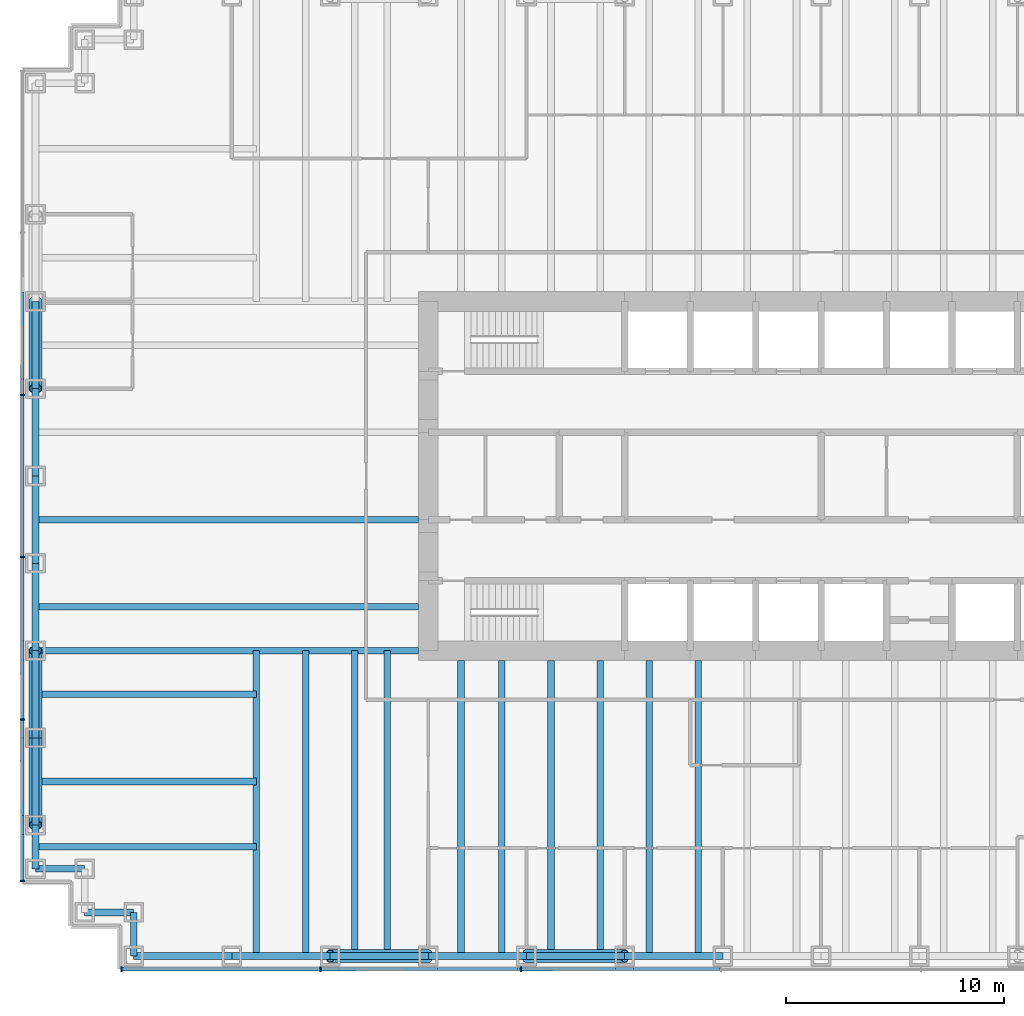
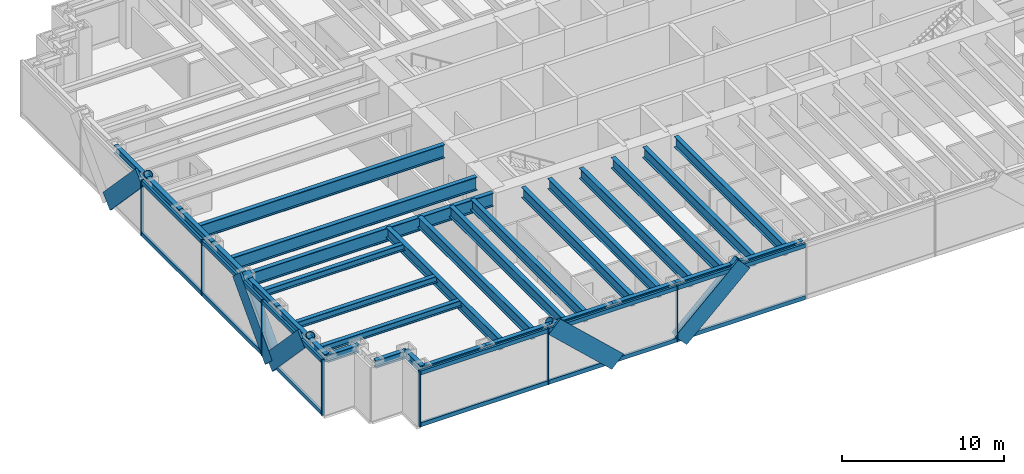
# One storey, part 2 of 15: 32 beams, 29 members, 2 elements without a shape of their own.
"""IFC4 building model written with IfcOpenShell, lengths in metres."""

from ifc_helpers import new_model, si_unit, direction, frame, origin, origin_2d, place, context, subcontext, project, spatial, rectangle, hollow_circle, i_section, extrude, material, material_profile, profile_set, type_object, element, aggregate, save


model = new_model("IFC4")

# Units and contexts
model_context = context("Model", 3, precision=1e-05, world=origin(), true_north=direction((0.0, 1.0)))
body_context = subcontext(model_context, "Body", "Model", "MODEL_VIEW")
ifc_project = project(units=[si_unit("LENGTHUNIT", "METRE"), si_unit("AREAUNIT", "SQUARE_METRE"), si_unit("VOLUMEUNIT", "CUBIC_METRE"), si_unit("PLANEANGLEUNIT", "RADIAN"), si_unit("MASSUNIT", "GRAM", prefix="KILO")], contexts=[model_context])

# Site, building, storey
site_placement = place(None, origin())
site = spatial("IfcSite", under=ifc_project, at=site_placement, CompositionType="ELEMENT")
building_placement = place(site_placement, origin())
building = spatial("IfcBuilding", under=site, at=building_placement, Name="Rheinbord Bourse Tower", CompositionType="ELEMENT")
storey_placement = place(building_placement, frame((0.0, 0.0, 113.10009765625)))
storey = spatial("IfcBuildingStorey", under=building, at=storey_placement, Name="L24", CompositionType="ELEMENT", Elevation=113.10009765625)

# Curtain wall, members
ifc_material_1 = material(Name="Dark glass and black aluminium", Category="aluminium")
curtain_wall_type = type_object("IfcCurtainWallType", Name="CW2 DARK GLASS CURTAIN WALL", PredefinedType="USERDEFINED", material=ifc_material_1)
curtain_wall_1_placement = place(storey_placement, origin())
curtain_wall_1 = element("IfcCurtainWall", 1, at=curtain_wall_1_placement, inside=storey, type_object=curtain_wall_type, Name="Curtain wall CW2 S L24", ObjectType="UNITISED CURTAIN WALL", PredefinedType="USERDEFINED")
ifc_material_2 = material(Name="Black anodised aluminium", Category="aluminium")
ifc_material_profile_1 = material_profile(ifc_material_2, rectangle(XDim=0.159912109375, YDim=1.2099609375, at=origin_2d()), Name="CW2 DIAGONAL MULLION 1210x160")
ifc_profile_set_1 = profile_set([ifc_material_profile_1], Name="Black anodised aluminium")
member_type_1 = type_object("IfcMemberType", Name="CW2 BLACK DIAGONAL MULLION", PredefinedType="USERDEFINED", material=ifc_profile_set_1)
member_1_placement = place(storey_placement, frame((18.0, 1.39990234375, 0.0), z_axis=(-0.73105922506, 0.0, 0.682314010889), x_axis=(0.0, -1.0, 0.0)))
member_1 = element("IfcMember", 2, at=member_1_placement, type_object=member_type_1, Name="CW2 diagonal mullion a", ObjectType="DIAGONAL MULLION", PredefinedType="USERDEFINED", context=body_context, shape_type="SweptSolid", body=[
    extrude(rectangle(XDim=0.159912109375, YDim=1.2099609375, at=origin_2d()), origin(), (0.0, 0.0, 1.0), 6.155517578125),
])
member_2_placement = place(storey_placement, frame((22.5, 1.39990234375, 0.0), z_axis=(0.73105922506, 0.0, 0.682314010889), x_axis=(0.0, 1.0, 0.0)))
member_2 = element("IfcMember", 3, at=member_2_placement, type_object=member_type_1, Name="CW2 diagonal mullion c", ObjectType="DIAGONAL MULLION", PredefinedType="USERDEFINED", context=body_context, shape_type="SweptSolid", body=[
    extrude(rectangle(XDim=0.159912109375, YDim=1.2099609375, at=origin_2d()), origin(), (0.0, 0.0, 1.0), 6.155517578125),
])

curtain_wall_2_placement = place(storey_placement, origin())
curtain_wall_2 = element("IfcCurtainWall", 4, at=curtain_wall_2_placement, inside=storey, type_object=curtain_wall_type, Name="Curtain wall CW2 W L24", ObjectType="UNITISED CURTAIN WALL", PredefinedType="USERDEFINED")
member_3_placement = place(storey_placement, frame((-0.60009765625, 12.0, 0.0), z_axis=(0.0, -0.689659376744, 0.724133926887), x_axis=(1.0, 0.0, 0.0)))
member_3 = element("IfcMember", 5, at=member_3_placement, type_object=member_type_1, Name="CW2 diagonal mullion b", ObjectType="DIAGONAL MULLION", PredefinedType="USERDEFINED", context=body_context, shape_type="SweptSolid", body=[
    extrude(rectangle(XDim=0.159912109375, YDim=1.2099609375, at=origin_2d()), origin(), (0.0, 0.0, 1.0), 5.800048828125),
])
member_4_placement = place(storey_placement, frame((-0.60009765625, 32.0, 0.0), z_axis=(0.0, -0.689659376744, 0.724133926887), x_axis=(1.0, 0.0, 0.0)))
member_4 = element("IfcMember", 6, at=member_4_placement, type_object=member_type_1, Name="CW2 diagonal mullion c", ObjectType="DIAGONAL MULLION", PredefinedType="USERDEFINED", context=body_context, shape_type="SweptSolid", body=[
    extrude(rectangle(XDim=0.159912109375, YDim=1.2099609375, at=origin_2d()), origin(), (0.0, 0.0, 1.0), 5.800048828125),
])
member_5_placement = place(storey_placement, frame((-0.60009765625, 12.0, 0.0), z_axis=(0.0, 0.689659376744, 0.724133926887), x_axis=(-1.0, 0.0, 0.0)))
member_5 = element("IfcMember", 7, at=member_5_placement, type_object=member_type_1, Name="CW2 diagonal mullion d", ObjectType="DIAGONAL MULLION", PredefinedType="USERDEFINED", context=body_context, shape_type="SweptSolid", body=[
    extrude(rectangle(XDim=0.159912109375, YDim=1.2099609375, at=origin_2d()), origin(), (0.0, 0.0, 1.0), 5.800048828125),
])

# Member
ifc_material_3 = material(Name="Black anodised aluminium", Category="aluminium")
ifc_material_profile_2 = material_profile(ifc_material_3, rectangle(XDim=0.219970703125, YDim=0.070068359375, at=origin_2d()), Name="CW2 MULLION 70x220")
ifc_profile_set_2 = profile_set([ifc_material_profile_2], Name="Black anodised aluminium")
member_type_2 = type_object("IfcMemberType", Name="CW2 BLACK MULLION", PredefinedType="MULLION", material=ifc_profile_set_2)
member_6_placement = place(storey_placement, frame((3.93505859375, 1.39990234375, 0.0), z_axis=(0.0, 0.0, 1.0), x_axis=(0.0, 1.0, 0.0)))
member_6 = element("IfcMember", 8, at=member_6_placement, type_object=member_type_2, Name="CW2 mullion 1", PredefinedType="MULLION", context=body_context, shape_type="SweptSolid", body=[
    extrude(rectangle(XDim=0.219970703125, YDim=0.070068359375, at=origin_2d()), origin(), (0.0, 0.0, 1.0), 4.199951171875),
])

member_7_placement = place(storey_placement, frame((13.071533203125, 1.39990234375, 0.0), z_axis=(0.0, 0.0, 1.0), x_axis=(0.0, 1.0, 0.0)))
member_7 = element("IfcMember", 9, at=member_7_placement, type_object=member_type_2, Name="CW2 mullion 2", PredefinedType="MULLION", context=body_context, shape_type="SweptSolid", body=[
    extrude(rectangle(XDim=0.219970703125, YDim=0.070068359375, at=origin_2d()), origin(), (0.0, 0.0, 1.0), 4.199951171875),
])

member_8_placement = place(storey_placement, frame((22.242919921875, 1.39990234375, 0.0), z_axis=(0.0, 0.0, 1.0), x_axis=(0.0, 1.0, 0.0)))
member_8 = element("IfcMember", 10, at=member_8_placement, type_object=member_type_2, Name="CW2 mullion 3", PredefinedType="MULLION", context=body_context, shape_type="SweptSolid", body=[
    extrude(rectangle(XDim=0.219970703125, YDim=0.070068359375, at=origin_2d()), origin(), (0.0, 0.0, 1.0), 4.199951171875),
])

member_9_placement = place(storey_placement, frame((-0.60009765625, 27.719970703125, 0.0), z_axis=(0.0, 0.0, 1.0), x_axis=(1.0, 0.0, 0.0)))
member_9 = element("IfcMember", 11, at=member_9_placement, type_object=member_type_2, Name="CW2 mullion 3", PredefinedType="MULLION", context=body_context, shape_type="SweptSolid", body=[
    extrude(rectangle(XDim=0.219970703125, YDim=0.070068359375, at=origin_2d()), origin(), (0.0, 0.0, 1.0), 4.199951171875),
])

member_10_placement = place(storey_placement, frame((-0.60009765625, 20.280029296875, 0.0), z_axis=(0.0, 0.0, 1.0), x_axis=(1.0, 0.0, 0.0)))
member_10 = element("IfcMember", 12, at=member_10_placement, type_object=member_type_2, Name="CW2 mullion 4", PredefinedType="MULLION", context=body_context, shape_type="SweptSolid", body=[
    extrude(rectangle(XDim=0.219970703125, YDim=0.070068359375, at=origin_2d()), origin(), (0.0, 0.0, 1.0), 4.199951171875),
])

member_11_placement = place(storey_placement, frame((-0.60009765625, 12.840087890625, 0.0), z_axis=(0.0, 0.0, 1.0), x_axis=(1.0, 0.0, 0.0)))
member_11 = element("IfcMember", 13, at=member_11_placement, type_object=member_type_2, Name="CW2 mullion 5", PredefinedType="MULLION", context=body_context, shape_type="SweptSolid", body=[
    extrude(rectangle(XDim=0.219970703125, YDim=0.070068359375, at=origin_2d()), origin(), (0.0, 0.0, 1.0), 4.199951171875),
])

member_12_placement = place(storey_placement, frame((-0.60009765625, 5.43505859375, 0.0), z_axis=(0.0, 0.0, 1.0), x_axis=(1.0, 0.0, 0.0)))
member_12 = element("IfcMember", 14, at=member_12_placement, type_object=member_type_2, Name="CW2 mullion 6", PredefinedType="MULLION", context=body_context, shape_type="SweptSolid", body=[
    extrude(rectangle(XDim=0.219970703125, YDim=0.070068359375, at=origin_2d()), origin(), (0.0, 0.0, 1.0), 4.199951171875),
])

ifc_material_4 = material(Name="Black anodised aluminium", Category="aluminium")
ifc_material_profile_3 = material_profile(ifc_material_4, rectangle(XDim=0.159912109375, YDim=0.300048828125, at=origin_2d()), Name="CW2 TRANSOM 300x160")
ifc_profile_set_3 = profile_set([ifc_material_profile_3], Name="Black anodised aluminium")
member_type_3 = type_object("IfcMemberType", Name="CW2 BLACK TRANSOM", PredefinedType="USERDEFINED", material=ifc_profile_set_3)
member_13_placement = place(storey_placement, frame((3.969970703125, 1.39990234375, 0.14990234375), z_axis=(1.0, 0.0, 0.0), x_axis=(0.0, 1.0, 0.0)))
member_13 = element("IfcMember", 15, at=member_13_placement, type_object=member_type_3, Name="CW2 transom 1.1", ObjectType="TRANSOM", PredefinedType="USERDEFINED", context=body_context, shape_type="SweptSolid", body=[
    extrude(rectangle(XDim=0.159912109375, YDim=0.300048828125, at=origin_2d()), origin(), (0.0, 0.0, 1.0), 9.06640625),
])

member_14_placement = place(storey_placement, frame((3.969970703125, 1.39990234375, 4.0498046875), z_axis=(1.0, 0.0, 0.0), x_axis=(0.0, 1.0, 0.0)))
member_14 = element("IfcMember", 16, at=member_14_placement, type_object=member_type_3, Name="CW2 transom 1.2", ObjectType="TRANSOM", PredefinedType="USERDEFINED", context=body_context, shape_type="SweptSolid", body=[
    extrude(rectangle(XDim=0.159912109375, YDim=0.300048828125, at=origin_2d()), origin(), (0.0, 0.0, 1.0), 9.06640625),
])

member_15_placement = place(storey_placement, frame((13.1064453125, 1.39990234375, 0.14990234375), z_axis=(1.0, 0.0, 0.0), x_axis=(0.0, 1.0, 0.0)))
member_15 = element("IfcMember", 17, at=member_15_placement, type_object=member_type_3, Name="CW2 transom 2.1", ObjectType="TRANSOM", PredefinedType="USERDEFINED", context=body_context, shape_type="SweptSolid", body=[
    extrude(rectangle(XDim=0.159912109375, YDim=0.300048828125, at=origin_2d()), origin(), (0.0, 0.0, 1.0), 9.101318359375),
])

member_16_placement = place(storey_placement, frame((13.1064453125, 1.39990234375, 4.0498046875), z_axis=(1.0, 0.0, 0.0), x_axis=(0.0, 1.0, 0.0)))
member_16 = element("IfcMember", 18, at=member_16_placement, type_object=member_type_3, Name="CW2 transom 2.2", ObjectType="TRANSOM", PredefinedType="USERDEFINED", context=body_context, shape_type="SweptSolid", body=[
    extrude(rectangle(XDim=0.159912109375, YDim=0.300048828125, at=origin_2d()), origin(), (0.0, 0.0, 1.0), 9.101318359375),
])

member_17_placement = place(storey_placement, frame((22.27783203125, 1.39990234375, 0.14990234375), z_axis=(1.0, 0.0, 0.0), x_axis=(0.0, 1.0, 0.0)))
member_17 = element("IfcMember", 19, at=member_17_placement, type_object=member_type_3, Name="CW2 transom 3.1", ObjectType="TRANSOM", PredefinedType="USERDEFINED", context=body_context, shape_type="SweptSolid", body=[
    extrude(rectangle(XDim=0.159912109375, YDim=0.300048828125, at=origin_2d()), origin(), (0.0, 0.0, 1.0), 9.1015625),
])

member_18_placement = place(storey_placement, frame((22.27783203125, 1.39990234375, 4.0498046875), z_axis=(1.0, 0.0, 0.0), x_axis=(0.0, 1.0, 0.0)))
member_18 = element("IfcMember", 20, at=member_18_placement, type_object=member_type_3, Name="CW2 transom 3.2", ObjectType="TRANSOM", PredefinedType="USERDEFINED", context=body_context, shape_type="SweptSolid", body=[
    extrude(rectangle(XDim=0.159912109375, YDim=0.300048828125, at=origin_2d()), origin(), (0.0, 0.0, 1.0), 9.1015625),
])

aggregate(curtain_wall_1, [member_6, member_7, member_8, member_13, member_14, member_15, member_16, member_17, member_18, member_1, member_2])

member_19_placement = place(storey_placement, frame((-0.60009765625, 27.68505859375, 0.14990234375), z_axis=(0.0, -1.0, 0.0), x_axis=(1.0, 0.0, 0.0)))
member_19 = element("IfcMember", 21, at=member_19_placement, type_object=member_type_3, Name="CW2 transom 3.1", ObjectType="TRANSOM", PredefinedType="USERDEFINED", context=body_context, shape_type="SweptSolid", body=[
    extrude(rectangle(XDim=0.159912109375, YDim=0.300048828125, at=origin_2d()), origin(), (0.0, 0.0, 1.0), 7.3701171875),
])

member_20_placement = place(storey_placement, frame((-0.60009765625, 27.68505859375, 4.0498046875), z_axis=(0.0, -1.0, 0.0), x_axis=(1.0, 0.0, 0.0)))
member_20 = element("IfcMember", 22, at=member_20_placement, type_object=member_type_3, Name="CW2 transom 3.2", ObjectType="TRANSOM", PredefinedType="USERDEFINED", context=body_context, shape_type="SweptSolid", body=[
    extrude(rectangle(XDim=0.159912109375, YDim=0.300048828125, at=origin_2d()), origin(), (0.0, 0.0, 1.0), 7.3701171875),
])

member_21_placement = place(storey_placement, frame((-0.60009765625, 20.2451171875, 0.14990234375), z_axis=(0.0, -1.0, 0.0), x_axis=(1.0, 0.0, 0.0)))
member_21 = element("IfcMember", 23, at=member_21_placement, type_object=member_type_3, Name="CW2 transom 4.1", ObjectType="TRANSOM", PredefinedType="USERDEFINED", context=body_context, shape_type="SweptSolid", body=[
    extrude(rectangle(XDim=0.159912109375, YDim=0.300048828125, at=origin_2d()), origin(), (0.0, 0.0, 1.0), 7.3701171875),
])

member_22_placement = place(storey_placement, frame((-0.60009765625, 20.2451171875, 4.0498046875), z_axis=(0.0, -1.0, 0.0), x_axis=(1.0, 0.0, 0.0)))
member_22 = element("IfcMember", 24, at=member_22_placement, type_object=member_type_3, Name="CW2 transom 4.2", ObjectType="TRANSOM", PredefinedType="USERDEFINED", context=body_context, shape_type="SweptSolid", body=[
    extrude(rectangle(XDim=0.159912109375, YDim=0.300048828125, at=origin_2d()), origin(), (0.0, 0.0, 1.0), 7.3701171875),
])

member_23_placement = place(storey_placement, frame((-0.60009765625, 12.804931640625, 0.14990234375), z_axis=(0.0, -1.0, 0.0), x_axis=(1.0, 0.0, 0.0)))
member_23 = element("IfcMember", 25, at=member_23_placement, type_object=member_type_3, Name="CW2 transom 5.1", ObjectType="TRANSOM", PredefinedType="USERDEFINED", context=body_context, shape_type="SweptSolid", body=[
    extrude(rectangle(XDim=0.159912109375, YDim=0.300048828125, at=origin_2d()), origin(), (0.0, 0.0, 1.0), 7.3349609375),
])

member_24_placement = place(storey_placement, frame((-0.60009765625, 12.804931640625, 4.0498046875), z_axis=(0.0, -1.0, 0.0), x_axis=(1.0, 0.0, 0.0)))
member_24 = element("IfcMember", 26, at=member_24_placement, type_object=member_type_3, Name="CW2 transom 5.2", ObjectType="TRANSOM", PredefinedType="USERDEFINED", context=body_context, shape_type="SweptSolid", body=[
    extrude(rectangle(XDim=0.159912109375, YDim=0.300048828125, at=origin_2d()), origin(), (0.0, 0.0, 1.0), 7.3349609375),
])

aggregate(curtain_wall_2, [member_9, member_10, member_11, member_12, member_19, member_20, member_21, member_22, member_23, member_24, member_3, member_4, member_5])

# Beams
ifc_material_5 = material(Name="Steel S460", Category="steel")
ifc_material_profile_4 = material_profile(ifc_material_5, i_section(OverallWidth=0.302001953125, OverallDepth=1.008056640625, WebThickness=0.02099609375, FlangeThickness=0.0400390625, at=origin_2d()), Name="HEM 1000")
ifc_profile_set_4 = profile_set([ifc_material_profile_4], Name="Steel S460")
beam_type_1 = type_object("IfcBeamType", Name="END BEAM HEM 1000", PredefinedType="BEAM", material=ifc_profile_set_4)
for number, where, z_axis, x_axis, name in (
    (27, (0.0, 18.0, 3.535888671875), (1.0, 0.0, 0.0), (0.0, 1.0, 0.0), "End beam west 18 L25"),
    (28, (0.0, 22.0, 3.535888671875), (1.0, 0.0, 0.0), (0.0, 1.0, 0.0), "End beam west 22 L25"),
):
    element("IfcBeam", number, at=place(storey_placement, frame(where, z_axis=z_axis, x_axis=x_axis)), inside=storey, type_object=beam_type_1, Name=name, PredefinedType="BEAM", context=body_context, shape_type="SweptSolid", body=[
        extrude(i_section(OverallWidth=0.302001953125, OverallDepth=1.008056640625, WebThickness=0.02099609375, FlangeThickness=0.0400390625, at=origin_2d()), origin(), (0.0, 0.0, 1.0), 17.550048828125),
    ])
ifc_material_6 = material(Name="Steel S460", Category="steel")
ifc_material_profile_5 = material_profile(ifc_material_6, i_section(OverallWidth=0.300048828125, OverallDepth=0.800048828125, WebThickness=0.017578125, FlangeThickness=0.032958984375, at=origin_2d()), Name="HEB 800")
ifc_profile_set_5 = profile_set([ifc_material_profile_5], Name="Steel S460")
beam_type_2 = type_object("IfcBeamType", Name="FLOOR BEAM HEB 800", PredefinedType="BEAM", material=ifc_profile_set_5)
for number, where, z_axis, x_axis, name in (
    (29, (10.125, 2.0, 3.639892578125), (0.0, 1.0, 0.0), (-1.0, 0.0, 0.0), "Floor beam S-9a L25"),
    (30, (12.375, 2.0, 3.639892578125), (0.0, 1.0, 0.0), (-1.0, 0.0, 0.0), "Floor beam S-9b L25"),
    (31, (14.625, 2.0, 3.639892578125), (0.0, 1.0, 0.0), (-1.0, 0.0, 0.0), "Floor beam S-13.5a L25"),
    (32, (16.125, 2.0, 3.639892578125), (0.0, 1.0, 0.0), (-1.0, 0.0, 0.0), "Floor beam S-13.5b L25"),
):
    element("IfcBeam", number, at=place(storey_placement, frame(where, z_axis=z_axis, x_axis=x_axis)), inside=storey, type_object=beam_type_2, Name=name, PredefinedType="BEAM", context=body_context, shape_type="SweptSolid", body=[
        extrude(i_section(OverallWidth=0.300048828125, OverallDepth=0.800048828125, WebThickness=0.017578125, FlangeThickness=0.032958984375, at=origin_2d()), origin(), (0.0, 0.0, 1.0), 14.0),
    ])
for number, where, z_axis, x_axis, name in (
    (33, (19.5, 2.0, 3.639892578125), (0.0, 1.0, 0.0), (-1.0, 0.0, 0.0), "Floor beam S-18a L25"),
    (34, (21.375, 2.0, 3.639892578125), (0.0, 1.0, 0.0), (-1.0, 0.0, 0.0), "Floor beam S-18b L25"),
    (35, (23.625, 2.0, 3.639892578125), (0.0, 1.0, 0.0), (-1.0, 0.0, 0.0), "Floor beam S-22.5a L25"),
    (36, (25.875, 2.0, 3.639892578125), (0.0, 1.0, 0.0), (-1.0, 0.0, 0.0), "Floor beam S-22.5b L25"),
    (37, (28.125, 2.0, 3.639892578125), (0.0, 1.0, 0.0), (-1.0, 0.0, 0.0), "Floor beam S-27a L25"),
    (38, (30.375, 2.0, 3.639892578125), (0.0, 1.0, 0.0), (-1.0, 0.0, 0.0), "Floor beam S-27b L25"),
):
    element("IfcBeam", number, at=place(storey_placement, frame(where, z_axis=z_axis, x_axis=x_axis)), inside=storey, type_object=beam_type_2, Name=name, PredefinedType="BEAM", context=body_context, shape_type="SweptSolid", body=[
        extrude(i_section(OverallWidth=0.300048828125, OverallDepth=0.800048828125, WebThickness=0.017578125, FlangeThickness=0.032958984375, at=origin_2d()), origin(), (0.0, 0.0, 1.0), 13.550048828125),
    ])
ifc_material_7 = material(Name="Steel S460", Category="steel")
ifc_material_profile_6 = material_profile(ifc_material_7, i_section(OverallWidth=0.302001953125, OverallDepth=1.008056640625, WebThickness=0.02099609375, FlangeThickness=0.0400390625, at=origin_2d()), Name="HEM 1000")
ifc_profile_set_6 = profile_set([ifc_material_profile_6], Name="Steel S460")
beam_type_3 = type_object("IfcBeamType", Name="GIRDER HEM 1000", PredefinedType="BEAM", material=ifc_profile_set_6)
beam_1_placement = place(storey_placement, frame((0.0, 16.0, 3.535888671875), z_axis=(1.0, 0.0, 0.0), x_axis=(0.0, 1.0, 0.0)))
element("IfcBeam", 39, at=beam_1_placement, inside=storey, type_object=beam_type_3, Name="Girder west 16 L25", PredefinedType="BEAM", context=body_context, shape_type="SweptSolid", body=[
    extrude(i_section(OverallWidth=0.302001953125, OverallDepth=1.008056640625, WebThickness=0.02099609375, FlangeThickness=0.0400390625, at=origin_2d()), origin(), (0.0, 0.0, 1.0), 17.550048828125),
])

# Members
ifc_material_8 = material(Name="Steel S460", Category="steel")
ifc_material_profile_7 = material_profile(ifc_material_8, hollow_circle(Radius=0.304931640625, WallThickness=0.0400390625, at=origin_2d()), Name="CHS 610x40")
ifc_profile_set_7 = profile_set([ifc_material_profile_7], Name="Steel S460")
member_type_4 = type_object("IfcMemberType", Name="MEGABRACE CHS 610x40", PredefinedType="BRACE", material=ifc_profile_set_7)
for number, where, z_axis, x_axis, name in (
    (40, (18.0, 2.0, 0.0), (-0.73105922506, 0.0, 0.682314010889), (0.0, -1.0, 0.0), "Megabrace S face line a L24"),
    (41, (22.5, 2.0, 0.0), (0.73105922506, 0.0, 0.682314010889), (0.0, 1.0, 0.0), "Megabrace S face line c L24"),
):
    element("IfcMember", number, at=place(storey_placement, frame(where, z_axis=z_axis, x_axis=x_axis)), inside=storey, type_object=member_type_4, Name=name, PredefinedType="BRACE", context=body_context, shape_type="SweptSolid", body=[
        extrude(hollow_circle(Radius=0.304931640625, WallThickness=0.0400390625, at=origin_2d()), origin(), (0.0, 0.0, 1.0), 6.155517578125),
    ])
for number, where, z_axis, x_axis, name in (
    (42, (0.0, 12.0, 0.0), (0.0, -0.689659376744, 0.724133926887), (1.0, 0.0, 0.0), "Megabrace W face line b L24"),
    (43, (0.0, 32.0, 0.0), (0.0, -0.689659376744, 0.724133926887), (1.0, 0.0, 0.0), "Megabrace W face line c L24"),
    (44, (0.0, 12.0, 0.0), (0.0, 0.689659376744, 0.724133926887), (-1.0, 0.0, 0.0), "Megabrace W face line d L24"),
):
    element("IfcMember", number, at=place(storey_placement, frame(where, z_axis=z_axis, x_axis=x_axis)), inside=storey, type_object=member_type_4, Name=name, PredefinedType="BRACE", context=body_context, shape_type="SweptSolid", body=[
        extrude(hollow_circle(Radius=0.304931640625, WallThickness=0.0400390625, at=origin_2d()), origin(), (0.0, 0.0, 1.0), 5.800048828125),
    ])

# Beams
ifc_material_9 = material(Name="Steel S460", Category="steel")
ifc_material_profile_8 = material_profile(ifc_material_9, i_section(OverallWidth=0.305908203125, OverallDepth=0.572021484375, WebThickness=0.02099609375, FlangeThickness=0.0400390625, at=origin_2d()), Name="HEM 550")
ifc_profile_set_8 = profile_set([ifc_material_profile_8], Name="Steel S460")
beam_type_4 = type_object("IfcBeamType", Name="SPANDREL HEM 550", PredefinedType="SPANDREL", material=ifc_profile_set_8)
for number, where, z_axis, x_axis, name in (
    (45, (4.5, 2.0, 3.75390625), (1.0, 0.0, 0.0), (0.0, 1.0, 0.0), "Spandrel SW-E-S-9 under L25"),
    (46, (9.0, 2.0, 3.75390625), (1.0, 0.0, 0.0), (0.0, 1.0, 0.0), "Spandrel S-9-S-13.5 under L25"),
    (47, (13.5, 2.0, 3.75390625), (1.0, 0.0, 0.0), (0.0, 1.0, 0.0), "Spandrel S-13.5-S-18 under L25"),
    (48, (18.0, 2.0, 3.75390625), (1.0, 0.0, 0.0), (0.0, 1.0, 0.0), "Spandrel S-18-S-22.5 under L25"),
    (49, (22.5, 2.0, 3.75390625), (1.0, 0.0, 0.0), (0.0, 1.0, 0.0), "Spandrel S-22.5-S-27 under L25"),
    (50, (27.0, 2.0, 3.75390625), (1.0, 0.0, 0.0), (0.0, 1.0, 0.0), "Spandrel S-27-S-31.5 under L25"),
):
    element("IfcBeam", number, at=place(storey_placement, frame(where, z_axis=z_axis, x_axis=x_axis)), inside=storey, type_object=beam_type_4, Name=name, PredefinedType="SPANDREL", context=body_context, shape_type="SweptSolid", body=[
        extrude(i_section(OverallWidth=0.305908203125, OverallDepth=0.572021484375, WebThickness=0.02099609375, FlangeThickness=0.0400390625, at=origin_2d()), origin(), (0.0, 0.0, 1.0), 4.5),
    ])
for number, where, z_axis, x_axis, name in (
    (51, (0.0, 32.0, 3.75390625), (0.0, -1.0, 0.0), (1.0, 0.0, 0.0), "Spandrel W-32-W-28 under L25"),
    (52, (0.0, 28.0, 3.75390625), (0.0, -1.0, 0.0), (1.0, 0.0, 0.0), "Spandrel W-28-W-24 under L25"),
    (53, (0.0, 24.0, 3.75390625), (0.0, -1.0, 0.0), (1.0, 0.0, 0.0), "Spandrel W-24-W-20 under L25"),
    (54, (0.0, 20.0, 3.75390625), (0.0, -1.0, 0.0), (1.0, 0.0, 0.0), "Spandrel W-20-W-16 under L25"),
    (55, (0.0, 16.0, 3.75390625), (0.0, -1.0, 0.0), (1.0, 0.0, 0.0), "Spandrel W-16-W-12 under L25"),
    (56, (0.0, 12.0, 3.75390625), (0.0, -1.0, 0.0), (1.0, 0.0, 0.0), "Spandrel W-12-W-8 under L25"),
):
    element("IfcBeam", number, at=place(storey_placement, frame(where, z_axis=z_axis, x_axis=x_axis)), inside=storey, type_object=beam_type_4, Name=name, PredefinedType="SPANDREL", context=body_context, shape_type="SweptSolid", body=[
        extrude(i_section(OverallWidth=0.305908203125, OverallDepth=0.572021484375, WebThickness=0.02099609375, FlangeThickness=0.0400390625, at=origin_2d()), origin(), (0.0, 0.0, 1.0), 4.0),
    ])
beam_2_placement = place(storey_placement, frame((0.0, 8.0, 3.75390625), z_axis=(0.0, -1.0, 0.0), x_axis=(1.0, 0.0, 0.0)))
element("IfcBeam", 57, at=beam_2_placement, inside=storey, type_object=beam_type_4, Name="Spandrel W-8-SW-A under L25", PredefinedType="SPANDREL", context=body_context, shape_type="SweptSolid", body=[
    extrude(i_section(OverallWidth=0.305908203125, OverallDepth=0.572021484375, WebThickness=0.02099609375, FlangeThickness=0.0400390625, at=origin_2d()), origin(), (0.0, 0.0, 1.0), 2.0),
])
for number, where, z_axis, x_axis, name in (
    (58, (0.0, 6.0, 3.75390625), (1.0, 0.0, 0.0), (0.0, 1.0, 0.0), "Spandrel SW-A-SW-B under L25"),
    (59, (2.25, 4.0, 3.75390625), (1.0, 0.0, 0.0), (0.0, 1.0, 0.0), "Spandrel SW-C-SW-D under L25"),
):
    element("IfcBeam", number, at=place(storey_placement, frame(where, z_axis=z_axis, x_axis=x_axis)), inside=storey, type_object=beam_type_4, Name=name, PredefinedType="SPANDREL", context=body_context, shape_type="SweptSolid", body=[
        extrude(i_section(OverallWidth=0.305908203125, OverallDepth=0.572021484375, WebThickness=0.02099609375, FlangeThickness=0.0400390625, at=origin_2d()), origin(), (0.0, 0.0, 1.0), 2.25),
    ])
beam_3_placement = place(storey_placement, frame((4.5, 4.0, 3.75390625), z_axis=(0.0, -1.0, 0.0), x_axis=(1.0, 0.0, 0.0)))
element("IfcBeam", 60, at=beam_3_placement, inside=storey, type_object=beam_type_4, Name="Spandrel SW-D-SW-E under L25", PredefinedType="SPANDREL", context=body_context, shape_type="SweptSolid", body=[
    extrude(i_section(OverallWidth=0.305908203125, OverallDepth=0.572021484375, WebThickness=0.02099609375, FlangeThickness=0.0400390625, at=origin_2d()), origin(), (0.0, 0.0, 1.0), 2.0),
])
ifc_material_10 = material(Name="Steel S460", Category="steel")
ifc_material_profile_9 = material_profile(ifc_material_10, i_section(OverallWidth=0.300048828125, OverallDepth=0.5, WebThickness=0.014404296875, FlangeThickness=0.028076171875, at=origin_2d()), Name="HEB 500")
ifc_profile_set_9 = profile_set([ifc_material_profile_9], Name="Steel S460")
beam_type_5 = type_object("IfcBeamType", Name="TIE BEAM HEB 500", PredefinedType="JOIST", material=ifc_profile_set_9)
for number, where, z_axis, x_axis, name in (
    (61, (0.0, 7.0, 3.789794921875), (1.0, 0.0, 0.0), (0.0, 1.0, 0.0), "Tie west 7 L25"),
    (62, (0.0, 10.0, 3.789794921875), (1.0, 0.0, 0.0), (0.0, 1.0, 0.0), "Tie west 10 L25"),
    (63, (0.0, 14.0, 3.789794921875), (1.0, 0.0, 0.0), (0.0, 1.0, 0.0), "Tie west 14 L25"),
):
    element("IfcBeam", number, at=place(storey_placement, frame(where, z_axis=z_axis, x_axis=x_axis)), inside=storey, type_object=beam_type_5, Name=name, PredefinedType="JOIST", context=body_context, shape_type="SweptSolid", body=[
        extrude(i_section(OverallWidth=0.300048828125, OverallDepth=0.5, WebThickness=0.014404296875, FlangeThickness=0.028076171875, at=origin_2d()), origin(), (0.0, 0.0, 1.0), 10.125),
    ])

save(model, "model.ifc")
